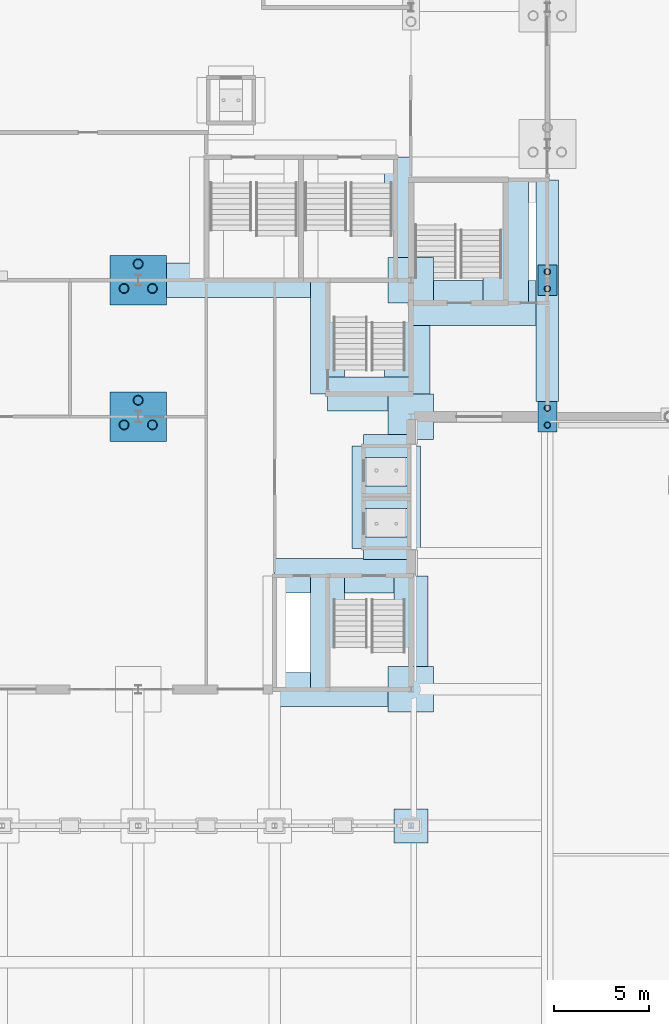
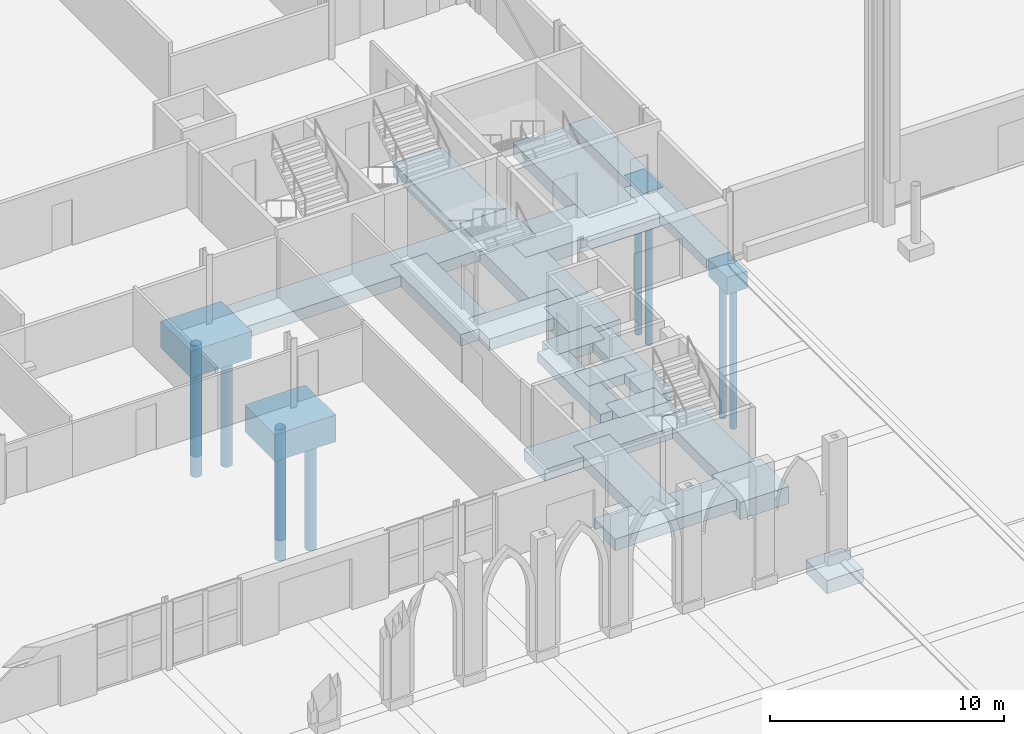
# One storey, part 3 of 148: 24 footings, 10 piles.
"""IFC4 building model written with IfcOpenShell, lengths in metres."""

from ifc_helpers import new_model, si_unit, direction, frame, origin, origin_2d, place, context, subcontext, project, spatial, rectangle, hollow_circle, extrude, material, layer, layer_set, material_profile, profile_set, type_object, element, save


model = new_model("IFC4")

# Units and contexts
model_context = context("Model", 3, precision=1e-05, world=origin(), true_north=direction((0.0, 1.0)))
body_context = subcontext(model_context, "Body", "Model", "MODEL_VIEW")
ifc_project = project(units=[si_unit("LENGTHUNIT", "METRE"), si_unit("AREAUNIT", "SQUARE_METRE"), si_unit("VOLUMEUNIT", "CUBIC_METRE"), si_unit("PLANEANGLEUNIT", "RADIAN"), si_unit("MASSUNIT", "GRAM", prefix="KILO")], contexts=[model_context])

# Site, building, storey
site_placement = place(None, origin())
site = spatial("IfcSite", under=ifc_project, at=site_placement, CompositionType="ELEMENT")
building_placement = place(site_placement, origin())
building = spatial("IfcBuilding", under=site, at=building_placement, Name="Kupolbacken Congress Centre", CompositionType="ELEMENT")
storey_placement = place(building_placement, origin())
storey = spatial("IfcBuildingStorey", under=building, at=storey_placement, Name="L00", CompositionType="ELEMENT", Elevation=0.0)

# Footings
ifc_material_1 = material(Name="Concrete C30/37", Category="concrete")
ifc_layer_1 = layer(ifc_material_1, 1.39990234375)
ifc_layer_set_1 = layer_set([ifc_layer_1], Name="Concrete C30/37")
footing_type_1 = type_object("IfcFootingType", Name="PC5 pile cap 3.00 x 2.60 x 1.40 m", PredefinedType="PILE_CAP", material=ifc_layer_set_1)
for number, where, z_axis, x_axis, name in (
    (1, (64.800048828125, 43.199951171875, -1.699951171875), (0.0, 0.0, 1.0), (1.0, 0.0, 0.0), "S/fnd/C-F-10G/cap"),
    (2, (64.800048828125, 50.39990234375, -1.699951171875), (0.0, 0.0, 1.0), (1.0, 0.0, 0.0), "S/fnd/C-F-10H/cap"),
):
    element("IfcFooting", number, at=place(storey_placement, frame(where, z_axis=z_axis, x_axis=x_axis)), inside=storey, type_object=footing_type_1, Name=name, PredefinedType="PILE_CAP", context=body_context, shape_type="SweptSolid", body=[
        extrude(rectangle(XDim=3.0, YDim=2.60009765625, at=origin_2d()), origin(), (0.0, 0.0, 1.0), 1.39990234375),
    ])
ifc_material_2 = material(Name="Concrete C30/37", Category="concrete")
ifc_layer_2 = layer(ifc_material_2, 0.89990234375)
ifc_layer_set_2 = layer_set([ifc_layer_2], Name="Concrete C30/37")
footing_type_2 = type_object("IfcFootingType", Name="PC7 pile cap 1.60 x 1.00 x 0.90 m", PredefinedType="PILE_CAP", material=ifc_layer_set_2)
for number, where, z_axis, x_axis, name in (
    (3, (86.39990234375, 43.199951171875, -1.199951171875), (0.0, 0.0, 1.0), (1.0, 0.0, 0.0), "S/fnd/C-H-PW01/cap"),
    (4, (86.39990234375, 50.39990234375, -1.199951171875), (0.0, 0.0, 1.0), (1.0, 0.0, 0.0), "S/fnd/C-H-PW02/cap"),
):
    element("IfcFooting", number, at=place(storey_placement, frame(where, z_axis=z_axis, x_axis=x_axis)), inside=storey, type_object=footing_type_2, Name=name, PredefinedType="PILE_CAP", context=body_context, shape_type="SweptSolid", body=[
        extrude(rectangle(XDim=1.0, YDim=1.60009765625, at=origin_2d()), origin(), (0.0, 0.0, 1.0), 0.89990234375),
    ])
ifc_material_3 = material(Name="Concrete C30/37", Category="concrete")
ifc_layer_3 = layer(ifc_material_3, 0.89990234375)
ifc_layer_set_3 = layer_set([ifc_layer_3], Name="Concrete C30/37")
footing_type_3 = type_object("IfcFootingType", Name="PD1 pad footing 2.40 x 2.40 x 0.90 m", PredefinedType="PAD_FOOTING", material=ifc_layer_set_3)
for number, where, z_axis, x_axis, name in (
    (5, (79.199951171875, 28.800048828125, -1.199951171875), (0.0, 0.0, 1.0), (1.0, 0.0, 0.0), "S/fnd/C-F-12E"),
    (6, (79.199951171875, 43.199951171875, -1.199951171875), (0.0, 0.0, 1.0), (1.0, 0.0, 0.0), "S/fnd/C-F-12G"),
    (7, (79.199951171875, 50.39990234375, -1.199951171875), (0.0, 0.0, 1.0), (1.0, 0.0, 0.0), "S/fnd/C-F-12H"),
):
    element("IfcFooting", number, at=place(storey_placement, frame(where, z_axis=z_axis, x_axis=x_axis)), inside=storey, type_object=footing_type_3, Name=name, PredefinedType="PAD_FOOTING", context=body_context, shape_type="SweptSolid", body=[
        extrude(rectangle(XDim=2.39990234375, YDim=2.39990234375, at=origin_2d()), origin(), (0.0, 0.0, 1.0), 0.89990234375),
    ])
ifc_material_4 = material(Name="Concrete C30/37", Category="concrete")
ifc_layer_4 = layer(ifc_material_4, 0.699951171875)
ifc_layer_set_4 = layer_set([ifc_layer_4], Name="Concrete C30/37")
footing_type_4 = type_object("IfcFootingType", Name="PD4 pad footing 1.80 x 1.80 x 0.70 m", PredefinedType="PAD_FOOTING", material=ifc_layer_set_4)
footing_1_placement = place(storey_placement, frame((79.199951171875, 21.60009765625, -1.0), z_axis=(0.0, 0.0, 1.0), x_axis=(1.0, 0.0, 0.0)))
element("IfcFooting", 8, at=footing_1_placement, inside=storey, type_object=footing_type_4, Name="S/fnd/C-AR-12", PredefinedType="PAD_FOOTING", context=body_context, shape_type="SweptSolid", body=[
    extrude(rectangle(XDim=1.800048828125, YDim=1.800048828125, at=origin_2d()), origin(), (0.0, 0.0, 1.0), 0.699951171875),
])

# Piles
ifc_material_5 = material(Name="Steel S355", Category="steel")
ifc_material_profile_1 = material_profile(ifc_material_5, hollow_circle(Radius=0.161865234375, WallThickness=0.012451171875, at=origin_2d()), Name="CHS 323.9 x 12.5")
ifc_profile_set_1 = profile_set([ifc_material_profile_1], Name="Steel S355")
pile_type_1 = type_object("IfcPileType", Name="PL1 steel tube pile CHS 323.9 x 12.5", PredefinedType="BORED", material=ifc_profile_set_1)
for number, where, z_axis, x_axis, name in (
    (9, (86.39990234375, 42.75, -1.199951171875), (0.0, 0.0, -1.0), (1.0, 0.0, 0.0), "S/fnd/C-H-PW01/pile1"),
    (10, (86.39990234375, 43.64990234375, -1.199951171875), (0.0, 0.0, -1.0), (1.0, 0.0, 0.0), "S/fnd/C-H-PW01/pile2"),
    (11, (86.39990234375, 49.949951171875, -1.199951171875), (0.0, 0.0, -1.0), (1.0, 0.0, 0.0), "S/fnd/C-H-PW02/pile1"),
    (12, (86.39990234375, 50.85009765625, -1.199951171875), (0.0, 0.0, -1.0), (1.0, 0.0, 0.0), "S/fnd/C-H-PW02/pile2"),
):
    element("IfcPile", number, at=place(storey_placement, frame(where, z_axis=z_axis, x_axis=x_axis)), inside=storey, type_object=pile_type_1, Name=name, PredefinedType="BORED", context=body_context, shape_type="SweptSolid", body=[
        extrude(hollow_circle(Radius=0.161865234375, WallThickness=0.012451171875, at=origin_2d()), origin(), (0.0, 0.0, 1.0), 7.300048828125),
    ])
ifc_material_6 = material(Name="Steel S355", Category="steel")
ifc_material_profile_2 = material_profile(ifc_material_6, hollow_circle(Radius=0.25390625, WallThickness=0.02001953125, at=origin_2d()), Name="CHS 508 x 20")
ifc_profile_set_2 = profile_set([ifc_material_profile_2], Name="Steel S355")
pile_type_2 = type_object("IfcPileType", Name="PL3 steel tube pile CHS 508 x 20", PredefinedType="BORED", material=ifc_profile_set_2)
for number, where, z_axis, x_axis, name in (
    (13, (64.050048828125, 42.7666015625, -1.699951171875), (0.0, 0.0, -1.0), (1.0, 0.0, 0.0), "S/fnd/C-F-10G/pile1"),
    (14, (65.550048828125, 42.7666015625, -1.699951171875), (0.0, 0.0, -1.0), (1.0, 0.0, 0.0), "S/fnd/C-F-10G/pile2"),
    (15, (64.800048828125, 44.0654296875, -1.699951171875), (0.0, 0.0, -1.0), (1.0, 0.0, 0.0), "S/fnd/C-F-10G/pile3"),
    (16, (64.050048828125, 49.966552734375, -1.699951171875), (0.0, 0.0, -1.0), (1.0, 0.0, 0.0), "S/fnd/C-F-10H/pile1"),
    (17, (65.550048828125, 49.966552734375, -1.699951171875), (0.0, 0.0, -1.0), (1.0, 0.0, 0.0), "S/fnd/C-F-10H/pile2"),
    (18, (64.800048828125, 51.265380859375, -1.699951171875), (0.0, 0.0, -1.0), (1.0, 0.0, 0.0), "S/fnd/C-F-10H/pile3"),
):
    element("IfcPile", number, at=place(storey_placement, frame(where, z_axis=z_axis, x_axis=x_axis)), inside=storey, type_object=pile_type_2, Name=name, PredefinedType="BORED", context=body_context, shape_type="SweptSolid", body=[
        extrude(hollow_circle(Radius=0.25390625, WallThickness=0.02001953125, at=origin_2d()), origin(), (0.0, 0.0, 1.0), 5.800048828125),
    ])

# Footings
ifc_material_7 = material(Name="Concrete C30/37", Category="concrete")
ifc_layer_5 = layer(ifc_material_7, 0.5)
ifc_layer_set_5 = layer_set([ifc_layer_5], Name="Concrete C30/37")
footing_type_5 = type_object("IfcFootingType", Name="SF1 strip footing 1.20 x 0.50 m", PredefinedType="STRIP_FOOTING", material=ifc_layer_set_5)
footing_2_placement = place(storey_placement, frame((86.39990234375, 49.85009765625, -0.800048828125), z_axis=(0.0, 0.0, 1.0), x_axis=(0.0, 1.0, 0.0)))
element("IfcFooting", 19, at=footing_2_placement, inside=storey, type_object=footing_type_5, Name="S/fnd/core/022", PredefinedType="STRIP_FOOTING", context=body_context, shape_type="SweptSolid", body=[
    extrude(rectangle(XDim=11.699951171875, YDim=1.199951171875, at=origin_2d()), origin(), (0.0, 0.0, 1.0), 0.5),
])
footing_3_placement = place(storey_placement, frame((77.89990234375, 36.25, -0.800048828125), z_axis=(0.0, 0.0, 1.0), x_axis=(1.0, 0.0, 0.0)))
element("IfcFooting", 20, at=footing_3_placement, inside=storey, type_object=footing_type_5, Name="S/fnd/lift/009", PredefinedType="STRIP_FOOTING", context=body_context, shape_type="SweptSolid", body=[
    extrude(rectangle(XDim=2.39990234375, YDim=1.199951171875, at=origin_2d()), origin(), (0.0, 0.0, 1.0), 0.5),
])
footing_4_placement = place(storey_placement, frame((79.10009765625, 38.949951171875, -0.800048828125), z_axis=(0.0, 0.0, 1.0), x_axis=(0.0, 1.0, 0.0)))
element("IfcFooting", 21, at=footing_4_placement, inside=storey, type_object=footing_type_5, Name="S/fnd/lift/010", PredefinedType="STRIP_FOOTING", context=body_context, shape_type="SweptSolid", body=[
    extrude(rectangle(XDim=5.39990234375, YDim=1.199951171875, at=origin_2d()), origin(), (0.0, 0.0, 1.0), 0.5),
])
footing_5_placement = place(storey_placement, frame((77.89990234375, 38.949951171875, -0.800048828125), z_axis=(0.0, 0.0, 1.0), x_axis=(1.0, 0.0, 0.0)))
element("IfcFooting", 22, at=footing_5_placement, inside=storey, type_object=footing_type_5, Name="S/fnd/lift/011", PredefinedType="STRIP_FOOTING", context=body_context, shape_type="SweptSolid", body=[
    extrude(rectangle(XDim=2.39990234375, YDim=1.199951171875, at=origin_2d()), origin(), (0.0, 0.0, 1.0), 0.5),
])
footing_6_placement = place(storey_placement, frame((76.699951171875, 38.949951171875, -0.800048828125), z_axis=(0.0, 0.0, 1.0), x_axis=(0.0, 1.0, 0.0)))
element("IfcFooting", 23, at=footing_6_placement, inside=storey, type_object=footing_type_5, Name="S/fnd/lift/012", PredefinedType="STRIP_FOOTING", context=body_context, shape_type="SweptSolid", body=[
    extrude(rectangle(XDim=5.39990234375, YDim=1.199951171875, at=origin_2d()), origin(), (0.0, 0.0, 1.0), 0.5),
])
footing_7_placement = place(storey_placement, frame((77.89990234375, 41.64990234375, -0.800048828125), z_axis=(0.0, 0.0, 1.0), x_axis=(1.0, 0.0, 0.0)))
element("IfcFooting", 24, at=footing_7_placement, inside=storey, type_object=footing_type_5, Name="S/fnd/lift/015", PredefinedType="STRIP_FOOTING", context=body_context, shape_type="SweptSolid", body=[
    extrude(rectangle(XDim=2.39990234375, YDim=1.199951171875, at=origin_2d()), origin(), (0.0, 0.0, 1.0), 0.5),
])
ifc_material_8 = material(Name="Concrete C30/37", Category="concrete")
ifc_layer_6 = layer(ifc_material_8, 0.60009765625)
ifc_layer_set_6 = layer_set([ifc_layer_6], Name="Concrete C30/37")
footing_type_6 = type_object("IfcFootingType", Name="SF2 strip footing 1.80 x 0.60 m", PredefinedType="STRIP_FOOTING", material=ifc_layer_set_6)
footing_8_placement = place(storey_placement, frame((75.60009765625, 28.800048828125, -0.900146484375), z_axis=(0.0, 0.0, 1.0), x_axis=(1.0, 0.0, 0.0)))
element("IfcFooting", 25, at=footing_8_placement, inside=storey, type_object=footing_type_6, Name="S/fnd/core/004", PredefinedType="STRIP_FOOTING", context=body_context, shape_type="SweptSolid", body=[
    extrude(rectangle(XDim=7.199951171875, YDim=1.800048828125, at=origin_2d()), origin(), (0.0, 0.0, 1.0), 0.60009765625),
])
for number, where, z_axis, x_axis, name in (
    (26, (79.199951171875, 31.800048828125, -0.900146484375), (0.0, 0.0, 1.0), (0.0, 1.0, 0.0), "S/fnd/core/006"),
    (27, (74.800048828125, 31.800048828125, -0.900146484375), (0.0, 0.0, 1.0), (0.0, 1.0, 0.0), "S/fnd/core/011"),
):
    element("IfcFooting", number, at=place(storey_placement, frame(where, z_axis=z_axis, x_axis=x_axis)), inside=storey, type_object=footing_type_6, Name=name, PredefinedType="STRIP_FOOTING", context=body_context, shape_type="SweptSolid", body=[
        extrude(rectangle(XDim=6.0, YDim=1.800048828125, at=origin_2d()), origin(), (0.0, 0.0, 1.0), 0.60009765625),
    ])
footing_9_placement = place(storey_placement, frame((75.60009765625, 34.800048828125, -0.900146484375), z_axis=(0.0, 0.0, 1.0), x_axis=(1.0, 0.0, 0.0)))
element("IfcFooting", 28, at=footing_9_placement, inside=storey, type_object=footing_type_6, Name="S/fnd/core/012", PredefinedType="STRIP_FOOTING", context=body_context, shape_type="SweptSolid", body=[
    extrude(rectangle(XDim=7.199951171875, YDim=1.800048828125, at=origin_2d()), origin(), (0.0, 0.0, 1.0), 0.60009765625),
])
footing_10_placement = place(storey_placement, frame((77.0, 44.39990234375, -0.900146484375), z_axis=(0.0, 0.0, 1.0), x_axis=(1.0, 0.0, 0.0)))
element("IfcFooting", 29, at=footing_10_placement, inside=storey, type_object=footing_type_6, Name="S/fnd/core/016", PredefinedType="STRIP_FOOTING", context=body_context, shape_type="SweptSolid", body=[
    extrude(rectangle(XDim=4.39990234375, YDim=1.800048828125, at=origin_2d()), origin(), (0.0, 0.0, 1.0), 0.60009765625),
])
footing_11_placement = place(storey_placement, frame((72.75, 50.39990234375, -0.900146484375), z_axis=(0.0, 0.0, 1.0), x_axis=(1.0, 0.0, 0.0)))
element("IfcFooting", 30, at=footing_11_placement, inside=storey, type_object=footing_type_6, Name="S/fnd/core/027", PredefinedType="STRIP_FOOTING", context=body_context, shape_type="SweptSolid", body=[
    extrude(rectangle(XDim=12.89990234375, YDim=1.800048828125, at=origin_2d()), origin(), (0.0, 0.0, 1.0), 0.60009765625),
])
footing_12_placement = place(storey_placement, frame((74.800048828125, 47.39990234375, -0.900146484375), z_axis=(0.0, 0.0, 1.0), x_axis=(0.0, 1.0, 0.0)))
element("IfcFooting", 31, at=footing_12_placement, inside=storey, type_object=footing_type_6, Name="S/fnd/core/030", PredefinedType="STRIP_FOOTING", context=body_context, shape_type="SweptSolid", body=[
    extrude(rectangle(XDim=6.0, YDim=1.800048828125, at=origin_2d()), origin(), (0.0, 0.0, 1.0), 0.60009765625),
])
ifc_material_9 = material(Name="Concrete C30/37", Category="concrete")
ifc_layer_7 = layer(ifc_material_9, 0.699951171875)
ifc_layer_set_7 = layer_set([ifc_layer_7], Name="Concrete C30/37")
footing_type_7 = type_object("IfcFootingType", Name="SF3 strip footing 2.40 x 0.70 m", PredefinedType="STRIP_FOOTING", material=ifc_layer_set_7)
footing_13_placement = place(storey_placement, frame((79.0, 50.64990234375, -1.0), z_axis=(0.0, 0.0, 1.0), x_axis=(0.0, 1.0, 0.0)))
element("IfcFooting", 32, at=footing_13_placement, inside=storey, type_object=footing_type_7, Name="S/fnd/core/017", PredefinedType="STRIP_FOOTING", context=body_context, shape_type="SweptSolid", body=[
    extrude(rectangle(XDim=12.5, YDim=2.39990234375, at=origin_2d()), origin(), (0.0, 0.0, 1.0), 0.699951171875),
])
footing_14_placement = place(storey_placement, frame((82.800048828125, 49.199951171875, -1.0), z_axis=(0.0, 0.0, 1.0), x_axis=(1.0, 0.0, 0.0)))
element("IfcFooting", 33, at=footing_14_placement, inside=storey, type_object=footing_type_7, Name="S/fnd/core/018", PredefinedType="STRIP_FOOTING", context=body_context, shape_type="SweptSolid", body=[
    extrude(rectangle(XDim=7.199951171875, YDim=2.39990234375, at=origin_2d()), origin(), (0.0, 0.0, 1.0), 0.699951171875),
])
footing_15_placement = place(storey_placement, frame((84.199951171875, 52.449951171875, -1.0), z_axis=(0.0, 0.0, 1.0), x_axis=(0.0, 1.0, 0.0)))
element("IfcFooting", 34, at=footing_15_placement, inside=storey, type_object=footing_type_7, Name="S/fnd/core/021", PredefinedType="STRIP_FOOTING", context=body_context, shape_type="SweptSolid", body=[
    extrude(rectangle(XDim=6.5, YDim=2.39990234375, at=origin_2d()), origin(), (0.0, 0.0, 1.0), 0.699951171875),
])

save(model, "model.ifc")
